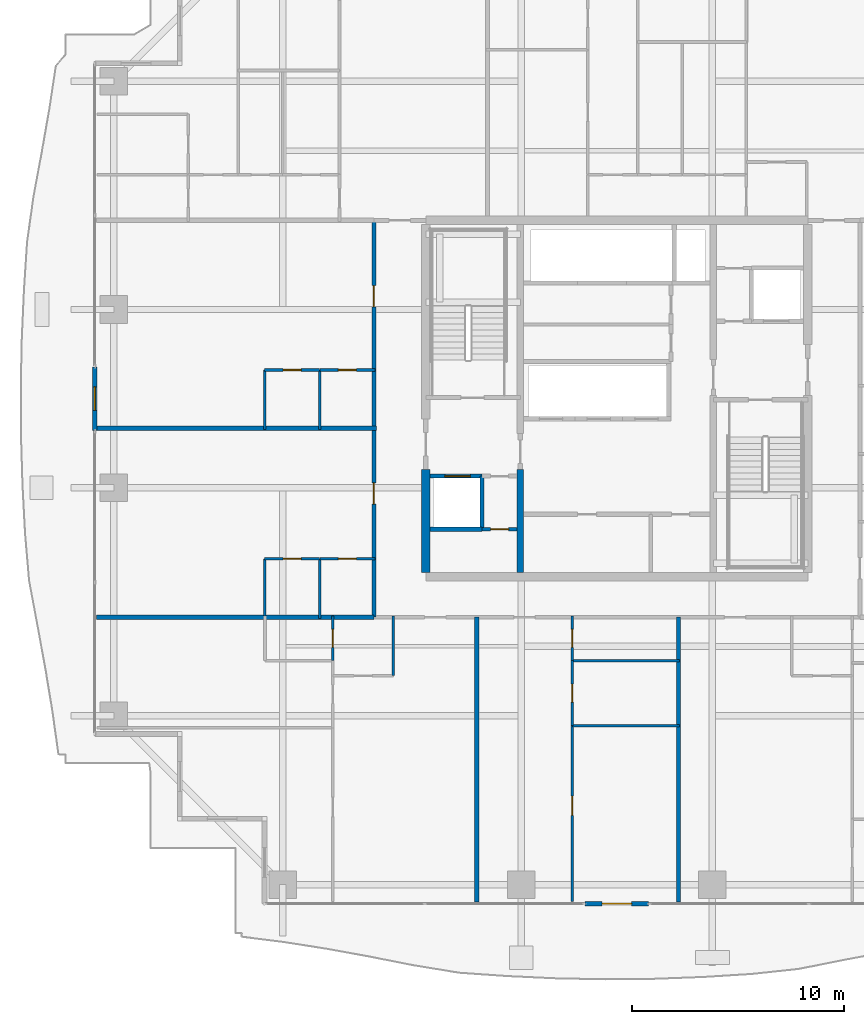
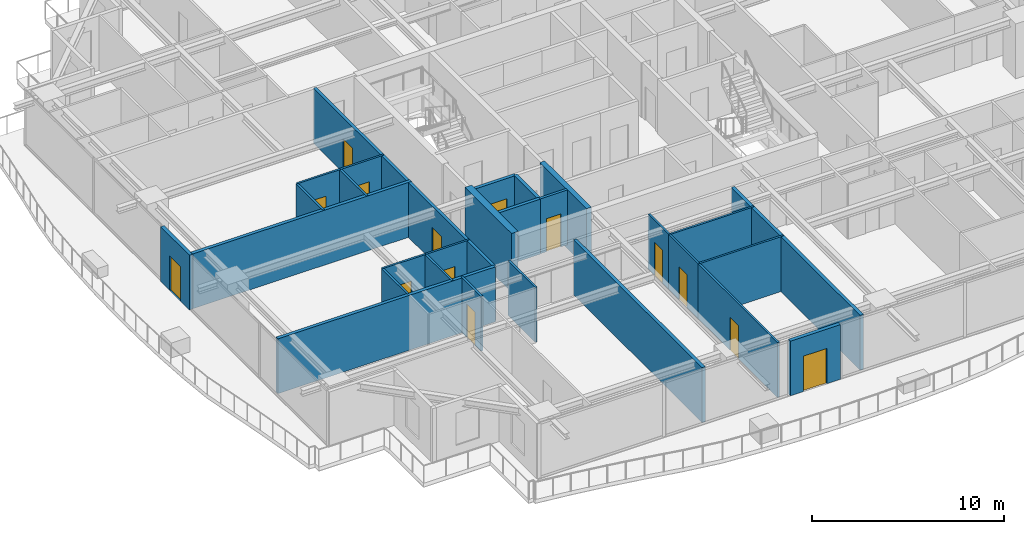
# One storey, part 24 of 35: 28 walls, 14 doors, 14 openings.
"""IFC4 building model written with IfcOpenShell, lengths in metres."""

from ifc_helpers import new_model, si_unit, direction, frame, frame_2d, origin, place, context, subcontext, project, spatial, rectangle, extrude, source, transform, mapped, material, layer, layer_set, type_object, element, fill, save


model = new_model("IFC4")

# Units and contexts
model_context = context("Model", 3, precision=1e-05, world=origin(), true_north=direction((0.0, 1.0)))
body_context = subcontext(model_context, "Body", "Model", "MODEL_VIEW")
ifc_project = project(units=[si_unit("LENGTHUNIT", "METRE"), si_unit("AREAUNIT", "SQUARE_METRE"), si_unit("VOLUMEUNIT", "CUBIC_METRE"), si_unit("PLANEANGLEUNIT", "RADIAN"), si_unit("MASSUNIT", "GRAM", prefix="KILO")], contexts=[model_context])

# Site, building, storey
site_placement = place(None, origin())
site = spatial("IfcSite", under=ifc_project, at=site_placement, CompositionType="ELEMENT")
building_placement = place(site_placement, origin())
building = spatial("IfcBuilding", under=site, at=building_placement, Name="Serunith Strait Residences", CompositionType="ELEMENT")
storey_placement = place(building_placement, frame((0.0, 0.0, 172.64990234375)))
storey = spatial("IfcBuildingStorey", under=building, at=storey_placement, Name="L43", CompositionType="ELEMENT", Elevation=172.64990234375)

# Wall, opening, door
ifc_material_1 = material(Name="Pale-Champagne Aluminium Insulated Panel", Category="aluminium")
ifc_layer_1 = layer(ifc_material_1, 0.219970703125, Name="Pale-Champagne Aluminium Insulated Panel")
ifc_layer_set_1 = layer_set([ifc_layer_1], Name="Pale-Champagne Aluminium Insulated Panel")
wall_type_1 = type_object("IfcWallType", Name="EW-ALUM-220", PredefinedType="ELEMENTEDWALL", material=ifc_layer_set_1)
wall_1_placement = place(storey_placement, frame((30.89990234375, 1.39990234375, 0.0), z_axis=(0.0, 0.0, 1.0), x_axis=(1.0, 0.0, 0.0)))
wall_1 = element("IfcWall", 1, at=wall_1_placement, inside=storey, type_object=wall_type_1, Name="L43 S Facade Pier Wall", PredefinedType="ELEMENTEDWALL", context=body_context, shape_type="SweptSolid", body=[
    extrude(rectangle(XDim=3.0, YDim=0.219970703125, at=frame_2d((1.5, 0.0))), origin(), (0.0, 0.0, 1.0), 3.47509765625),
])
opening_1_placement = place(wall_1_placement, frame((0.800048828125, 0.0, 0.0)))
opening_1 = element("IfcOpeningElement", 2, at=opening_1_placement, cuts=wall_1, Name="Opening ED-04", PredefinedType="OPENING", context=body_context, shape_type="SweptSolid", body=[
    extrude(rectangle(XDim=1.39990234375, YDim=2.25, at=frame_2d((0.699951171875, 1.125))), frame((0.0, 0.1201171875, 0.0), z_axis=(0.0, -1.0, 0.0), x_axis=(1.0, 0.0, 0.0)), (0.0, 0.0, 1.0), 0.239990234375),
])
ifc_material_2 = material(Name="Thermally-Broken Aluminium Sliding Balcony Door", Category="aluminium")
door_type_1 = type_object("IfcDoorType", Name="ED-BALC-1400", OperationType="NOTDEFINED", PredefinedType="DOOR", material=ifc_material_2)
shared_shape_1 = source(origin(), body_context, "Body", "SweptSolid", [
    extrude(rectangle(XDim=1.39990234375, YDim=2.25, at=frame_2d((0.699951171875, 1.125))), frame((0.0, 0.02490234375, 0.0), z_axis=(0.0, -1.0, 0.0), x_axis=(1.0, 0.0, 0.0)), (0.0, 0.0, 1.0), 0.050048828125),
])
door_1_placement = place(opening_1_placement, origin())
door_1 = element("IfcDoor", 3, at=door_1_placement, inside=storey, type_object=door_type_1, Name="L43 S Vertical-Forest Balcony Door", OperationType="SLIDING_TO_LEFT", OverallHeight=2.25, OverallWidth=1.39990234375, PredefinedType="DOOR", context=body_context, shape_type="MappedRepresentation", body=[
    mapped(shared_shape_1, transform((0.0, 0.0, 0.0), scale=1.0)),
])
fill(opening_1, door_1)

wall_2_placement = place(storey_placement, frame((7.800048828125, 26.699951171875, 0.0), z_axis=(0.0, 0.0, 1.0), x_axis=(0.0, -1.0, 0.0)))
wall_2 = element("IfcWall", 4, at=wall_2_placement, inside=storey, type_object=wall_type_1, Name="L43 W Facade Pier Wall", PredefinedType="ELEMENTEDWALL", context=body_context, shape_type="SweptSolid", body=[
    extrude(rectangle(XDim=3.0, YDim=0.219970703125, at=frame_2d((1.5, 0.0))), origin(), (0.0, 0.0, 1.0), 3.47509765625),
])
opening_2_placement = place(wall_2_placement, frame((0.949951171875, 0.0, 0.0)))
opening_2 = element("IfcOpeningElement", 5, at=opening_2_placement, cuts=wall_2, Name="Opening ED-03", PredefinedType="OPENING", context=body_context, shape_type="SweptSolid", body=[
    extrude(rectangle(XDim=1.10009765625, YDim=2.199951171875, at=frame_2d((0.550048828125, 1.10009765625))), frame((0.0, 0.1201171875, 0.0), z_axis=(0.0, -1.0, 0.0), x_axis=(1.0, 0.0, 0.0)), (0.0, 0.0, 1.0), 0.239990234375),
])
ifc_material_3 = material(Name="Thermally-Broken Aluminium Glazed Balcony Door", Category="aluminium")
door_type_2 = type_object("IfcDoorType", Name="ED-BALC-1100", OperationType="NOTDEFINED", PredefinedType="DOOR", material=ifc_material_3)
shared_shape_2 = source(origin(), body_context, "Body", "SweptSolid", [
    extrude(rectangle(XDim=1.10009765625, YDim=2.199951171875, at=frame_2d((0.550048828125, 1.10009765625))), frame((0.0, 0.02490234375, 0.0), z_axis=(0.0, -1.0, 0.0), x_axis=(1.0, 0.0, 0.0)), (0.0, 0.0, 1.0), 0.050048828125),
])
door_2_placement = place(opening_2_placement, origin())
door_2 = element("IfcDoor", 6, at=door_2_placement, inside=storey, type_object=door_type_2, Name="L43 W Vertical-Forest Balcony Door", OperationType="SINGLE_SWING_LEFT", OverallHeight=2.199951171875, OverallWidth=1.10009765625, PredefinedType="DOOR", context=body_context, shape_type="MappedRepresentation", body=[
    mapped(shared_shape_2, transform((0.0, 0.0, 0.0), scale=1.0)),
])
fill(opening_2, door_2)

ifc_material_4 = material(Name="Fire-rated masonry service closet wall", Category="masonry")
ifc_layer_2 = layer(ifc_material_4, 0.14990234375, Name="Fire-rated masonry service closet wall")
ifc_layer_set_2 = layer_set([ifc_layer_2], Name="Fire-rated masonry service closet wall")
wall_type_2 = type_object("IfcWallType", Name="IW-BOH-150", PredefinedType="PARTITIONING", material=ifc_layer_set_2)
wall_3_placement = place(storey_placement, frame((26.052001953125, 19.050048828125, 0.0), z_axis=(0.0, 0.0, 1.0), x_axis=(1.0, 0.0, 0.0)))
wall_3 = element("IfcWall", 7, at=wall_3_placement, inside=storey, type_object=wall_type_2, Name="L43 Partition Wall 012", PredefinedType="PARTITIONING", context=body_context, shape_type="SweptSolid", body=[
    extrude(rectangle(XDim=1.64794921875, YDim=0.14990234375, at=frame_2d((0.823974609375, 0.0))), origin(), (0.0, 0.0, 1.0), 3.489990234375),
])
opening_3_placement = place(wall_3_placement, frame((0.39892578125, 0.0, 0.0)))
opening_3 = element("IfcOpeningElement", 8, at=opening_3_placement, cuts=wall_3, Name="Opening FD-850", PredefinedType="OPENING", context=body_context, shape_type="SweptSolid", body=[
    extrude(rectangle(XDim=0.85009765625, YDim=2.10009765625, at=frame_2d((0.425048828125, 1.050048828125))), frame((0.0, 0.0849609375, 0.0), z_axis=(0.0, -1.0, 0.0), x_axis=(1.0, 0.0, 0.0)), (0.0, 0.0, 1.0), 0.169921875),
])
ifc_material_5 = material(Name="Powder-coated steel service closet door", Category="steel")
door_type_3 = type_object("IfcDoorType", Name="FD-BOH-850", OperationType="NOTDEFINED", PredefinedType="DOOR", material=ifc_material_5)
shared_shape_3 = source(origin(), body_context, "Body", "SweptSolid", [
    extrude(rectangle(XDim=0.85009765625, YDim=2.10009765625, at=frame_2d((0.425048828125, 1.050048828125))), frame((0.0, 0.02490234375, 0.0), z_axis=(0.0, -1.0, 0.0), x_axis=(1.0, 0.0, 0.0)), (0.0, 0.0, 1.0), 0.050048828125),
])
door_3_placement = place(opening_3_placement, origin())
door_3 = element("IfcDoor", 9, at=door_3_placement, inside=storey, type_object=door_type_3, Name="L43 Water Meter Door", OperationType="SINGLE_SWING_LEFT", OverallHeight=2.10009765625, OverallWidth=0.85009765625, PredefinedType="DOOR", context=body_context, shape_type="MappedRepresentation", body=[
    mapped(shared_shape_3, transform((0.0, 0.0, 0.0), scale=1.0)),
])
fill(opening_3, door_3)

# Wall, openings, doors
ifc_material_6 = material(Name="Fire-rated acoustic gypsum partition")
ifc_layer_3 = layer(ifc_material_6, 0.179931640625, Name="Fire-rated acoustic gypsum partition")
ifc_layer_set_3 = layer_set([ifc_layer_3], Name="Fire-rated acoustic gypsum partition")
wall_type_3 = type_object("IfcWallType", Name="IW-CORR-180", PredefinedType="PARTITIONING", material=ifc_layer_set_3)
wall_4_placement = place(storey_placement, frame((20.949951171875, 14.89990234375, 0.0), z_axis=(0.0, 0.0, 1.0), x_axis=(0.0, 1.0, 0.0)))
wall_4 = element("IfcWall", 10, at=wall_4_placement, inside=storey, type_object=wall_type_3, Name="L43 Partition Wall 029", PredefinedType="PARTITIONING", context=body_context, shape_type="SweptSolid", body=[
    extrude(rectangle(XDim=18.7001953125, YDim=0.179931640625, at=frame_2d((9.35009765625, 0.0))), origin(), (0.0, 0.0, 1.0), 3.489990234375),
])
opening_4_placement = place(wall_4_placement, frame((5.327880859375, 0.0, 0.0)))
opening_4 = element("IfcOpeningElement", 11, at=opening_4_placement, cuts=wall_4, Name="Opening D-APT1000", PredefinedType="OPENING", context=body_context, shape_type="SweptSolid", body=[
    extrude(rectangle(XDim=1.0, YDim=2.14990234375, at=frame_2d((0.5, 1.074951171875))), frame((0.0, 0.10009765625, 0.0), z_axis=(0.0, -1.0, 0.0), x_axis=(1.0, 0.0, 0.0)), (0.0, 0.0, 1.0), 0.199951171875),
])
opening_5_placement = place(wall_4_placement, frame((14.6201171875, 0.0, 0.0)))
opening_5 = element("IfcOpeningElement", 12, at=opening_5_placement, cuts=wall_4, Name="Opening D-APT1000", PredefinedType="OPENING", context=body_context, shape_type="SweptSolid", body=[
    extrude(rectangle(XDim=1.0, YDim=2.14990234375, at=frame_2d((0.5, 1.074951171875))), frame((0.0, 0.10009765625, 0.0), z_axis=(0.0, -1.0, 0.0), x_axis=(1.0, 0.0, 0.0)), (0.0, 0.0, 1.0), 0.199951171875),
])
ifc_material_7 = material(Name="Solid timber engineered fire door", Category="wood")
door_type_4 = type_object("IfcDoorType", Name="ID-APT-1000", OperationType="NOTDEFINED", PredefinedType="DOOR", material=ifc_material_7)
shared_shape_4 = source(origin(), body_context, "Body", "SweptSolid", [
    extrude(rectangle(XDim=1.0, YDim=2.14990234375, at=frame_2d((0.5, 1.074951171875))), frame((0.0, 0.02490234375, 0.0), z_axis=(0.0, -1.0, 0.0), x_axis=(1.0, 0.0, 0.0)), (0.0, 0.0, 1.0), 0.050048828125),
])
door_4_placement = place(opening_4_placement, origin())
door_4 = element("IfcDoor", 13, at=door_4_placement, inside=storey, type_object=door_type_4, Name="L43 Unit 06 Entrance Door", OperationType="SINGLE_SWING_RIGHT", OverallHeight=2.14990234375, OverallWidth=1.0, PredefinedType="DOOR", context=body_context, shape_type="MappedRepresentation", body=[
    mapped(shared_shape_4, transform((0.0, 0.0, 0.0), scale=1.0)),
])
fill(opening_4, door_4)
door_5_placement = place(opening_5_placement, origin())
door_5 = element("IfcDoor", 14, at=door_5_placement, inside=storey, type_object=door_type_4, Name="L43 Unit 07 Entrance Door", OperationType="SINGLE_SWING_LEFT", OverallHeight=2.14990234375, OverallWidth=1.0, PredefinedType="DOOR", context=body_context, shape_type="MappedRepresentation", body=[
    mapped(shared_shape_4, transform((0.0, 0.0, 0.0), scale=1.0)),
])
fill(opening_5, door_5)

# Wall
ifc_material_8 = material(Name="Lightweight steel-stud gypsum partition", Category="steel")
ifc_layer_4 = layer(ifc_material_8, 0.1201171875, Name="Lightweight steel-stud gypsum partition")
ifc_layer_set_4 = layer_set([ifc_layer_4], Name="Lightweight steel-stud gypsum partition")
wall_type_4 = type_object("IfcWallType", Name="IW-PART-120", PredefinedType="PARTITIONING", material=ifc_layer_set_4)
wall_5_placement = place(storey_placement, frame((21.8701171875, 12.14990234375, 0.0), z_axis=(0.0, 0.0, 1.0), x_axis=(0.0, 1.0, 0.0)))
element("IfcWall", 15, at=wall_5_placement, inside=storey, type_object=wall_type_4, Name="L43 Partition Wall 034", PredefinedType="PARTITIONING", context=body_context, shape_type="SweptSolid", body=[
    extrude(rectangle(XDim=2.81005859375, YDim=0.1201171875, at=frame_2d((1.405029296875, 0.0))), origin(), (0.0, 0.0, 1.0), 3.489990234375),
])

# Wall, opening, door
wall_6_placement = place(storey_placement, frame((19.02001953125, 12.85205078125, 0.0), z_axis=(0.0, 0.0, 1.0), x_axis=(0.0, 1.0, 0.0)))
wall_6 = element("IfcWall", 16, at=wall_6_placement, inside=storey, type_object=wall_type_4, Name="L43 Partition Wall 040", PredefinedType="PARTITIONING", context=body_context, shape_type="SweptSolid", body=[
    extrude(rectangle(XDim=2.10791015625, YDim=0.1201171875, at=frame_2d((1.053955078125, 0.0))), origin(), (0.0, 0.0, 1.0), 3.489990234375),
])
opening_6_placement = place(wall_6_placement, frame((0.62890625, 0.0, 0.0)))
opening_6 = element("IfcOpeningElement", 17, at=opening_6_placement, cuts=wall_6, Name="Opening D-BTH850", PredefinedType="OPENING", context=body_context, shape_type="SweptSolid", body=[
    extrude(rectangle(XDim=0.85009765625, YDim=2.10009765625, at=frame_2d((0.425048828125, 1.050048828125))), frame((0.0, 0.070068359375, 0.0), z_axis=(0.0, -1.0, 0.0), x_axis=(1.0, 0.0, 0.0)), (0.0, 0.0, 1.0), 0.14013671875),
])
ifc_material_9 = material(Name="Moisture-resistant timber bathroom door", Category="wood")
door_type_5 = type_object("IfcDoorType", Name="ID-BATH-850", OperationType="NOTDEFINED", PredefinedType="DOOR", material=ifc_material_9)
door_6_placement = place(opening_6_placement, origin())
door_6 = element("IfcDoor", 18, at=door_6_placement, inside=storey, type_object=door_type_5, Name="L43 Bathroom 4301 Door", OperationType="SINGLE_SWING_RIGHT", OverallHeight=2.10009765625, OverallWidth=0.85009765625, PredefinedType="DOOR", context=body_context, shape_type="MappedRepresentation", body=[
    mapped(shared_shape_3, transform((0.0, 0.0, 0.0), scale=1.0)),
])
fill(opening_6, door_6)

wall_7_placement = place(storey_placement, frame((30.300048828125, 1.4951171875, 0.0), z_axis=(0.0, 0.0, 1.0), x_axis=(0.0, 1.0, 0.0)))
wall_7 = element("IfcWall", 19, at=wall_7_placement, inside=storey, type_object=wall_type_4, Name="L43 Partition Wall 041", PredefinedType="PARTITIONING", context=body_context, shape_type="SweptSolid", body=[
    extrude(rectangle(XDim=8.30078125, YDim=0.1201171875, at=frame_2d((4.150390625, 0.0))), origin(), (0.0, 0.0, 1.0), 3.489990234375),
])
opening_7_placement = place(wall_7_placement, frame((4.071044921875, 0.0, 0.0)))
opening_7 = element("IfcOpeningElement", 20, at=opening_7_placement, cuts=wall_7, Name="Opening D-RM900", PredefinedType="OPENING", context=body_context, shape_type="SweptSolid", body=[
    extrude(rectangle(XDim=0.89990234375, YDim=2.10009765625, at=frame_2d((0.449951171875, 1.050048828125))), frame((0.0, 0.070068359375, 0.0), z_axis=(0.0, -1.0, 0.0), x_axis=(1.0, 0.0, 0.0)), (0.0, 0.0, 1.0), 0.14013671875),
])
ifc_material_10 = material(Name="Engineered timber flush bedroom door", Category="wood")
door_type_6 = type_object("IfcDoorType", Name="ID-ROOM-900", OperationType="NOTDEFINED", PredefinedType="DOOR", material=ifc_material_10)
shared_shape_5 = source(origin(), body_context, "Body", "SweptSolid", [
    extrude(rectangle(XDim=0.89990234375, YDim=2.10009765625, at=frame_2d((0.449951171875, 1.050048828125))), frame((0.0, 0.02490234375, 0.0), z_axis=(0.0, -1.0, 0.0), x_axis=(1.0, 0.0, 0.0)), (0.0, 0.0, 1.0), 0.050048828125),
])
door_7_placement = place(opening_7_placement, origin())
door_7 = element("IfcDoor", 21, at=door_7_placement, inside=storey, type_object=door_type_6, Name="L43 Master Bedroom 1 4302 Door", OperationType="SINGLE_SWING_LEFT", OverallHeight=2.10009765625, OverallWidth=0.89990234375, PredefinedType="DOOR", context=body_context, shape_type="MappedRepresentation", body=[
    mapped(shared_shape_5, transform((0.0, 0.0, 0.0), scale=1.0)),
])
fill(opening_7, door_7)

# Walls
for number, where, z_axis, x_axis, name in (
    (22, (30.300048828125, 9.7958984375, 0.0), (0.0, 0.0, 1.0), (1.0, 0.0, 0.0), "L43 Partition Wall 042"),
    (23, (30.300048828125, 12.85009765625, 0.0), (0.0, 0.0, 1.0), (1.0, 0.0, 0.0), "L43 Partition Wall 043"),
):
    element("IfcWall", number, at=place(storey_placement, frame(where, z_axis=z_axis, x_axis=x_axis)), inside=storey, type_object=wall_type_4, Name=name, PredefinedType="PARTITIONING", context=body_context, shape_type="SweptSolid", body=[
        extrude(rectangle(XDim=5.06005859375, YDim=0.1201171875, at=frame_2d((2.530029296875, 0.0))), origin(), (0.0, 0.0, 1.0), 3.489990234375),
    ])

# Wall, opening, door
wall_8_placement = place(storey_placement, frame((30.300048828125, 9.798095703125, 0.0), z_axis=(0.0, 0.0, 1.0), x_axis=(0.0, 1.0, 0.0)))
wall_8 = element("IfcWall", 24, at=wall_8_placement, inside=storey, type_object=wall_type_4, Name="L43 Partition Wall 044", PredefinedType="PARTITIONING", context=body_context, shape_type="SweptSolid", body=[
    extrude(rectangle(XDim=3.052001953125, YDim=0.1201171875, at=frame_2d((1.52587890625, 0.0))), origin(), (0.0, 0.0, 1.0), 3.489990234375),
])
opening_8_placement = place(wall_8_placement, frame((1.10107421875, 0.0, 0.0)))
opening_8 = element("IfcOpeningElement", 25, at=opening_8_placement, cuts=wall_8, Name="Opening D-RM850", PredefinedType="OPENING", context=body_context, shape_type="SweptSolid", body=[
    extrude(rectangle(XDim=0.85009765625, YDim=2.10009765625, at=frame_2d((0.425048828125, 1.050048828125))), frame((0.0, 0.070068359375, 0.0), z_axis=(0.0, -1.0, 0.0), x_axis=(1.0, 0.0, 0.0)), (0.0, 0.0, 1.0), 0.14013671875),
])
ifc_material_11 = material(Name="Engineered timber flush study and kitchen door", Category="wood")
door_type_7 = type_object("IfcDoorType", Name="ID-ROOM-850", OperationType="NOTDEFINED", PredefinedType="DOOR", material=ifc_material_11)
door_8_placement = place(opening_8_placement, origin())
door_8 = element("IfcDoor", 26, at=door_8_placement, inside=storey, type_object=door_type_7, Name="L43 Kitchen 4302 Door", OperationType="SINGLE_SWING_RIGHT", OverallHeight=2.10009765625, OverallWidth=0.85009765625, PredefinedType="DOOR", context=body_context, shape_type="MappedRepresentation", body=[
    mapped(shared_shape_3, transform((0.0, 0.0, 0.0), scale=1.0)),
])
fill(opening_8, door_8)

wall_9_placement = place(storey_placement, frame((30.300048828125, 12.85205078125, 0.0), z_axis=(0.0, 0.0, 1.0), x_axis=(0.0, 1.0, 0.0)))
wall_9 = element("IfcWall", 27, at=wall_9_placement, inside=storey, type_object=wall_type_4, Name="L43 Partition Wall 045", PredefinedType="PARTITIONING", context=body_context, shape_type="SweptSolid", body=[
    extrude(rectangle(XDim=2.10791015625, YDim=0.1201171875, at=frame_2d((1.053955078125, 0.0))), origin(), (0.0, 0.0, 1.0), 3.489990234375),
])
opening_9_placement = place(wall_9_placement, frame((0.62890625, 0.0, 0.0)))
opening_9 = element("IfcOpeningElement", 28, at=opening_9_placement, cuts=wall_9, Name="Opening D-BTH850", PredefinedType="OPENING", context=body_context, shape_type="SweptSolid", body=[
    extrude(rectangle(XDim=0.85009765625, YDim=2.10009765625, at=frame_2d((0.425048828125, 1.050048828125))), frame((0.0, 0.070068359375, 0.0), z_axis=(0.0, -1.0, 0.0), x_axis=(1.0, 0.0, 0.0)), (0.0, 0.0, 1.0), 0.14013671875),
])
door_9_placement = place(opening_9_placement, origin())
door_9 = element("IfcDoor", 29, at=door_9_placement, inside=storey, type_object=door_type_5, Name="L43 Bathroom 4302 Door", OperationType="SINGLE_SWING_LEFT", OverallHeight=2.10009765625, OverallWidth=0.85009765625, PredefinedType="DOOR", context=body_context, shape_type="MappedRepresentation", body=[
    mapped(shared_shape_3, transform((0.0, 0.0, 0.0), scale=1.0)),
])
fill(opening_9, door_9)

wall_10_placement = place(storey_placement, frame((15.800048828125, 17.64990234375, 0.0), z_axis=(0.0, 0.0, 1.0), x_axis=(1.0, 0.0, 0.0)))
wall_10 = element("IfcWall", 30, at=wall_10_placement, inside=storey, type_object=wall_type_4, Name="L43 Partition Wall 097", PredefinedType="PARTITIONING", context=body_context, shape_type="SweptSolid", body=[
    extrude(rectangle(XDim=2.599853515625, YDim=0.1201171875, at=frame_2d((1.2998046875, 0.0))), origin(), (0.0, 0.0, 1.0), 3.489990234375),
])
opening_10_placement = place(wall_10_placement, frame((0.875, 0.0, 0.0)))
opening_10 = element("IfcOpeningElement", 31, at=opening_10_placement, cuts=wall_10, Name="Opening D-RM850", PredefinedType="OPENING", context=body_context, shape_type="SweptSolid", body=[
    extrude(rectangle(XDim=0.85009765625, YDim=2.10009765625, at=frame_2d((0.425048828125, 1.050048828125))), frame((0.0, 0.070068359375, 0.0), z_axis=(0.0, -1.0, 0.0), x_axis=(1.0, 0.0, 0.0)), (0.0, 0.0, 1.0), 0.14013671875),
])
door_10_placement = place(opening_10_placement, origin())
door_10 = element("IfcDoor", 32, at=door_10_placement, inside=storey, type_object=door_type_7, Name="L43 Kitchen 4306 Door", OperationType="SINGLE_SWING_RIGHT", OverallHeight=2.10009765625, OverallWidth=0.85009765625, PredefinedType="DOOR", context=body_context, shape_type="MappedRepresentation", body=[
    mapped(shared_shape_3, transform((0.0, 0.0, 0.0), scale=1.0)),
])
fill(opening_10, door_10)

wall_11_placement = place(storey_placement, frame((18.402099609375, 17.64990234375, 0.0), z_axis=(0.0, 0.0, 1.0), x_axis=(1.0, 0.0, 0.0)))
wall_11 = element("IfcWall", 33, at=wall_11_placement, inside=storey, type_object=wall_type_4, Name="L43 Partition Wall 098", PredefinedType="PARTITIONING", context=body_context, shape_type="SweptSolid", body=[
    extrude(rectangle(XDim=2.60791015625, YDim=0.1201171875, at=frame_2d((1.303955078125, 0.0))), origin(), (0.0, 0.0, 1.0), 3.489990234375),
])
opening_11_placement = place(wall_11_placement, frame((0.87890625, 0.0, 0.0)))
opening_11 = element("IfcOpeningElement", 34, at=opening_11_placement, cuts=wall_11, Name="Opening D-BTH850", PredefinedType="OPENING", context=body_context, shape_type="SweptSolid", body=[
    extrude(rectangle(XDim=0.85009765625, YDim=2.10009765625, at=frame_2d((0.425048828125, 1.050048828125))), frame((0.0, 0.070068359375, 0.0), z_axis=(0.0, -1.0, 0.0), x_axis=(1.0, 0.0, 0.0)), (0.0, 0.0, 1.0), 0.14013671875),
])
door_11_placement = place(opening_11_placement, origin())
door_11 = element("IfcDoor", 35, at=door_11_placement, inside=storey, type_object=door_type_5, Name="L43 Bathroom 4306 Door", OperationType="SINGLE_SWING_LEFT", OverallHeight=2.10009765625, OverallWidth=0.85009765625, PredefinedType="DOOR", context=body_context, shape_type="MappedRepresentation", body=[
    mapped(shared_shape_3, transform((0.0, 0.0, 0.0), scale=1.0)),
])
fill(opening_11, door_11)

# Walls
wall_12_placement = place(storey_placement, frame((18.39990234375, 14.840087890625, 0.0), z_axis=(0.0, 0.0, 1.0), x_axis=(0.0, 1.0, 0.0)))
element("IfcWall", 36, at=wall_12_placement, inside=storey, type_object=wall_type_4, Name="L43 Partition Wall 099", PredefinedType="PARTITIONING", context=body_context, shape_type="SweptSolid", body=[
    extrude(rectangle(XDim=2.809814453125, YDim=0.1201171875, at=frame_2d((1.40478515625, 0.0))), origin(), (0.0, 0.0, 1.0), 3.489990234375),
])
wall_13_placement = place(storey_placement, frame((15.800048828125, 14.9619140625, 0.0), z_axis=(0.0, 0.0, 1.0), x_axis=(0.0, 1.0, 0.0)))
element("IfcWall", 37, at=wall_13_placement, inside=storey, type_object=wall_type_4, Name="L43 Partition Wall 100", PredefinedType="PARTITIONING", context=body_context, shape_type="SweptSolid", body=[
    extrude(rectangle(XDim=2.68798828125, YDim=0.1201171875, at=frame_2d((1.343994140625, 0.0))), origin(), (0.0, 0.0, 1.0), 3.489990234375),
])

# Wall, opening, door
wall_14_placement = place(storey_placement, frame((15.800048828125, 26.550048828125, 0.0), z_axis=(0.0, 0.0, 1.0), x_axis=(1.0, 0.0, 0.0)))
wall_14 = element("IfcWall", 38, at=wall_14_placement, inside=storey, type_object=wall_type_4, Name="L43 Partition Wall 101", PredefinedType="PARTITIONING", context=body_context, shape_type="SweptSolid", body=[
    extrude(rectangle(XDim=2.599853515625, YDim=0.1201171875, at=frame_2d((1.2998046875, 0.0))), origin(), (0.0, 0.0, 1.0), 3.489990234375),
])
opening_12_placement = place(wall_14_placement, frame((0.875, 0.0, 0.0)))
opening_12 = element("IfcOpeningElement", 39, at=opening_12_placement, cuts=wall_14, Name="Opening D-RM850", PredefinedType="OPENING", context=body_context, shape_type="SweptSolid", body=[
    extrude(rectangle(XDim=0.85009765625, YDim=2.10009765625, at=frame_2d((0.425048828125, 1.050048828125))), frame((0.0, 0.070068359375, 0.0), z_axis=(0.0, -1.0, 0.0), x_axis=(1.0, 0.0, 0.0)), (0.0, 0.0, 1.0), 0.14013671875),
])
door_12_placement = place(opening_12_placement, origin())
door_12 = element("IfcDoor", 40, at=door_12_placement, inside=storey, type_object=door_type_7, Name="L43 Kitchen 4307 Door", OperationType="SINGLE_SWING_RIGHT", OverallHeight=2.10009765625, OverallWidth=0.85009765625, PredefinedType="DOOR", context=body_context, shape_type="MappedRepresentation", body=[
    mapped(shared_shape_3, transform((0.0, 0.0, 0.0), scale=1.0)),
])
fill(opening_12, door_12)

wall_15_placement = place(storey_placement, frame((18.402099609375, 26.550048828125, 0.0), z_axis=(0.0, 0.0, 1.0), x_axis=(1.0, 0.0, 0.0)))
wall_15 = element("IfcWall", 41, at=wall_15_placement, inside=storey, type_object=wall_type_4, Name="L43 Partition Wall 102", PredefinedType="PARTITIONING", context=body_context, shape_type="SweptSolid", body=[
    extrude(rectangle(XDim=2.60791015625, YDim=0.1201171875, at=frame_2d((1.303955078125, 0.0))), origin(), (0.0, 0.0, 1.0), 3.489990234375),
])
opening_13_placement = place(wall_15_placement, frame((0.87890625, 0.0, 0.0)))
opening_13 = element("IfcOpeningElement", 42, at=opening_13_placement, cuts=wall_15, Name="Opening D-BTH850", PredefinedType="OPENING", context=body_context, shape_type="SweptSolid", body=[
    extrude(rectangle(XDim=0.85009765625, YDim=2.10009765625, at=frame_2d((0.425048828125, 1.050048828125))), frame((0.0, 0.070068359375, 0.0), z_axis=(0.0, -1.0, 0.0), x_axis=(1.0, 0.0, 0.0)), (0.0, 0.0, 1.0), 0.14013671875),
])
door_13_placement = place(opening_13_placement, origin())
door_13 = element("IfcDoor", 43, at=door_13_placement, inside=storey, type_object=door_type_5, Name="L43 Bathroom 4307 Door", OperationType="SINGLE_SWING_LEFT", OverallHeight=2.10009765625, OverallWidth=0.85009765625, PredefinedType="DOOR", context=body_context, shape_type="MappedRepresentation", body=[
    mapped(shared_shape_3, transform((0.0, 0.0, 0.0), scale=1.0)),
])
fill(opening_13, door_13)

# Walls
for number, where, z_axis, x_axis, name in (
    (44, (18.39990234375, 23.739990234375, 0.0), (0.0, 0.0, 1.0), (0.0, 1.0, 0.0), "L43 Partition Wall 103"),
    (45, (15.800048828125, 23.739990234375, 0.0), (0.0, 0.0, 1.0), (0.0, 1.0, 0.0), "L43 Partition Wall 104"),
):
    element("IfcWall", number, at=place(storey_placement, frame(where, z_axis=z_axis, x_axis=x_axis)), inside=storey, type_object=wall_type_4, Name=name, PredefinedType="PARTITIONING", context=body_context, shape_type="SweptSolid", body=[
        extrude(rectangle(XDim=2.81005859375, YDim=0.1201171875, at=frame_2d((1.405029296875, 0.0))), origin(), (0.0, 0.0, 1.0), 3.489990234375),
    ])
ifc_material_12 = material(Name="Twin-stud acoustic gypsum board partition")
ifc_layer_5 = layer(ifc_material_12, 0.199951171875, Name="Twin-stud acoustic gypsum board partition")
ifc_layer_set_5 = layer_set([ifc_layer_5], Name="Twin-stud acoustic gypsum board partition")
wall_type_5 = type_object("IfcWallType", Name="IW-PARTY-200", PredefinedType="PARTITIONING", material=ifc_layer_set_5)
for number, where, z_axis, x_axis, name in (
    (46, (25.800048828125, 1.48193359375, 0.0), (0.0, 0.0, 1.0), (0.0, 1.0, 0.0), "L43 Partition Wall 020"),
    (47, (35.300048828125, 1.48193359375, 0.0), (0.0, 0.0, 1.0), (0.0, 1.0, 0.0), "L43 Partition Wall 021"),
):
    element("IfcWall", number, at=place(storey_placement, frame(where, z_axis=z_axis, x_axis=x_axis)), inside=storey, type_object=wall_type_5, Name=name, PredefinedType="PARTITIONING", context=body_context, shape_type="SweptSolid", body=[
        extrude(rectangle(XDim=13.41796875, YDim=0.199951171875, at=frame_2d((6.708984375, 0.0))), origin(), (0.0, 0.0, 1.0), 3.489990234375),
    ])
wall_16_placement = place(storey_placement, frame((7.882080078125, 23.800048828125, 0.0), z_axis=(0.0, 0.0, 1.0), x_axis=(1.0, 0.0, 0.0)))
element("IfcWall", 48, at=wall_16_placement, inside=storey, type_object=wall_type_5, Name="L43 Partition Wall 023", PredefinedType="PARTITIONING", context=body_context, shape_type="SweptSolid", body=[
    extrude(rectangle(XDim=13.18798828125, YDim=0.199951171875, at=frame_2d((6.593994140625, 0.0))), origin(), (0.0, 0.0, 1.0), 3.489990234375),
])
wall_17_placement = place(storey_placement, frame((7.882080078125, 14.89990234375, 0.0), z_axis=(0.0, 0.0, 1.0), x_axis=(1.0, 0.0, 0.0)))
element("IfcWall", 49, at=wall_17_placement, inside=storey, type_object=wall_type_5, Name="L43 Partition Wall 024", PredefinedType="PARTITIONING", context=body_context, shape_type="SweptSolid", body=[
    extrude(rectangle(XDim=13.06787109375, YDim=0.199951171875, at=frame_2d((6.533935546875, 0.0))), origin(), (0.0, 0.0, 1.0), 3.489990234375),
])

# Wall, opening, door
ifc_material_13 = material(Name="Autoclaved aerated concrete blockwork", Category="masonry")
ifc_layer_6 = layer(ifc_material_13, 0.199951171875, Name="Autoclaved aerated concrete blockwork")
ifc_layer_set_6 = layer_set([ifc_layer_6], Name="Autoclaved aerated concrete blockwork")
wall_type_6 = type_object("IfcWallType", Name="IW-SHAFT-200", PredefinedType="STANDARD", material=ifc_layer_set_6)
wall_18_placement = place(storey_placement, frame((23.60009765625, 21.550048828125, 0.0), z_axis=(0.0, 0.0, 1.0), x_axis=(1.0, 0.0, 0.0)))
wall_18 = element("IfcWall", 50, at=wall_18_placement, inside=storey, type_object=wall_type_6, Name="L43 FL-1 North Shaft Wall", PredefinedType="STANDARD", context=body_context, shape_type="SweptSolid", body=[
    extrude(rectangle(XDim=2.449951171875, YDim=0.199951171875, at=frame_2d((1.22509765625, 0.0))), origin(), (0.0, 0.0, 1.0), 3.489990234375),
])
opening_14_placement = place(wall_18_placement, frame((0.699951171875, 0.0, 0.0)))
opening_14 = element("IfcOpeningElement", 51, at=opening_14_placement, cuts=wall_18, Name="Opening LD-FF1200", PredefinedType="OPENING", context=body_context, shape_type="SweptSolid", body=[
    extrude(rectangle(XDim=1.199951171875, YDim=2.199951171875, at=frame_2d((0.60009765625, 1.10009765625))), frame((0.0, 0.10986328125, 0.0), z_axis=(0.0, -1.0, 0.0), x_axis=(1.0, 0.0, 0.0)), (0.0, 0.0, 1.0), 0.219970703125),
])
ifc_material_14 = material(Name="Brushed stainless steel landing door", Category="steel")
door_type_8 = type_object("IfcDoorType", Name="LD-FF-1200", OperationType="DOUBLE_DOOR_SLIDING", PredefinedType="DOOR", material=ifc_material_14)
shared_shape_6 = source(origin(), body_context, "Body", "SweptSolid", [
    extrude(rectangle(XDim=1.199951171875, YDim=2.199951171875, at=frame_2d((0.60009765625, 1.10009765625))), frame((0.0, 0.02490234375, 0.0), z_axis=(0.0, -1.0, 0.0), x_axis=(1.0, 0.0, 0.0)), (0.0, 0.0, 1.0), 0.050048828125),
])
door_14_placement = place(opening_14_placement, origin())
door_14 = element("IfcDoor", 52, at=door_14_placement, inside=storey, type_object=door_type_8, Name="L43 FL-1 Landing Door", OperationType="DOUBLE_DOOR_SLIDING", OverallHeight=2.199951171875, OverallWidth=1.199951171875, PredefinedType="DOOR", context=body_context, shape_type="MappedRepresentation", body=[
    mapped(shared_shape_6, transform((0.0, 0.0, 0.0), scale=1.0)),
])
fill(opening_14, door_14)

# Walls
wall_19_placement = place(storey_placement, frame((26.050048828125, 19.050048828125, 0.0), z_axis=(0.0, 0.0, 1.0), x_axis=(0.0, 1.0, 0.0)))
element("IfcWall", 53, at=wall_19_placement, inside=storey, type_object=wall_type_6, Name="L43 Partition Wall 001", PredefinedType="STANDARD", context=body_context, shape_type="SweptSolid", body=[
    extrude(rectangle(XDim=2.5, YDim=0.199951171875, at=frame_2d((1.25, 0.0))), origin(), (0.0, 0.0, 1.0), 3.489990234375),
])
wall_20_placement = place(storey_placement, frame((23.60009765625, 19.050048828125, 0.0), z_axis=(0.0, 0.0, 1.0), x_axis=(1.0, 0.0, 0.0)))
element("IfcWall", 54, at=wall_20_placement, inside=storey, type_object=wall_type_6, Name="L43 Partition Wall 002", PredefinedType="STANDARD", context=body_context, shape_type="SweptSolid", body=[
    extrude(rectangle(XDim=2.449951171875, YDim=0.199951171875, at=frame_2d((1.22509765625, 0.0))), origin(), (0.0, 0.0, 1.0), 3.489990234375),
])
ifc_material_15 = material(Name="Concrete C70/85", Category="concrete")
ifc_layer_7 = layer(ifc_material_15, 0.300048828125, Name="Concrete C70/85")
ifc_layer_set_7 = layer_set([ifc_layer_7], Name="Concrete C70/85")
wall_type_7 = type_object("IfcWallType", Name="SW-300-C70", PredefinedType="SHEAR", material=ifc_layer_set_7)
wall_21_placement = place(storey_placement, frame((27.85009765625, 17.0, -0.260009765625), z_axis=(0.0, 0.0, 1.0), x_axis=(0.0, 1.0, 0.0)))
element("IfcWall", 55, at=wall_21_placement, inside=storey, type_object=wall_type_7, Name="L43 Core Internal West Web South Pier", PredefinedType="SHEAR", context=body_context, shape_type="SweptSolid", body=[
    extrude(rectangle(XDim=4.85009765625, YDim=0.300048828125, at=frame_2d((2.425048828125, 0.0))), origin(), (0.0, 0.0, 1.0), 3.748046875),
])
ifc_layer_8 = layer(ifc_material_15, 0.39990234375, Name="Concrete C70/85")
ifc_layer_set_8 = layer_set([ifc_layer_8], Name="Concrete C70/85")
wall_type_8 = type_object("IfcWallType", Name="SW-400-C70", PredefinedType="SHEAR", material=ifc_layer_set_8)
wall_22_placement = place(storey_placement, frame((23.39990234375, 17.0, -0.260009765625), z_axis=(0.0, 0.0, 1.0), x_axis=(0.0, 1.0, 0.0)))
element("IfcWall", 56, at=wall_22_placement, inside=storey, type_object=wall_type_8, Name="L43 Core West Shear Wall South Pier", PredefinedType="SHEAR", context=body_context, shape_type="SweptSolid", body=[
    extrude(rectangle(XDim=4.85009765625, YDim=0.39990234375, at=frame_2d((2.425048828125, 0.0))), origin(), (0.0, 0.0, 1.0), 3.748046875),
])

save(model, "model.ifc")
